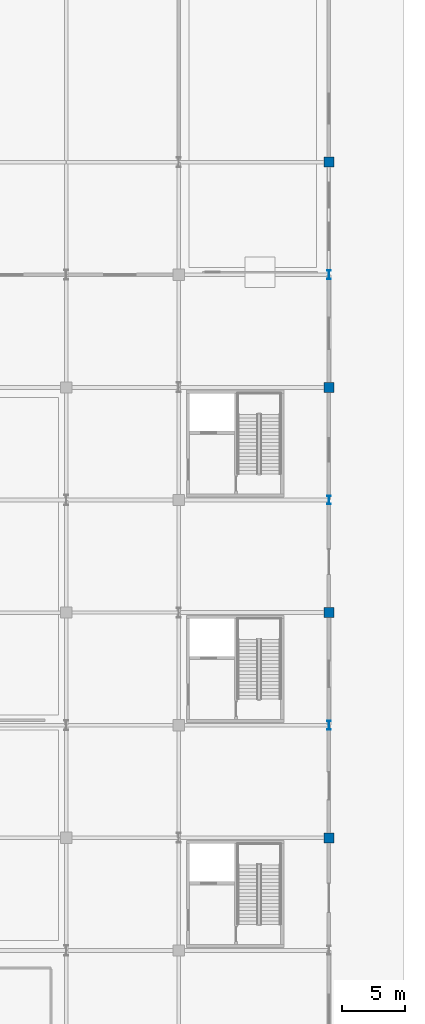
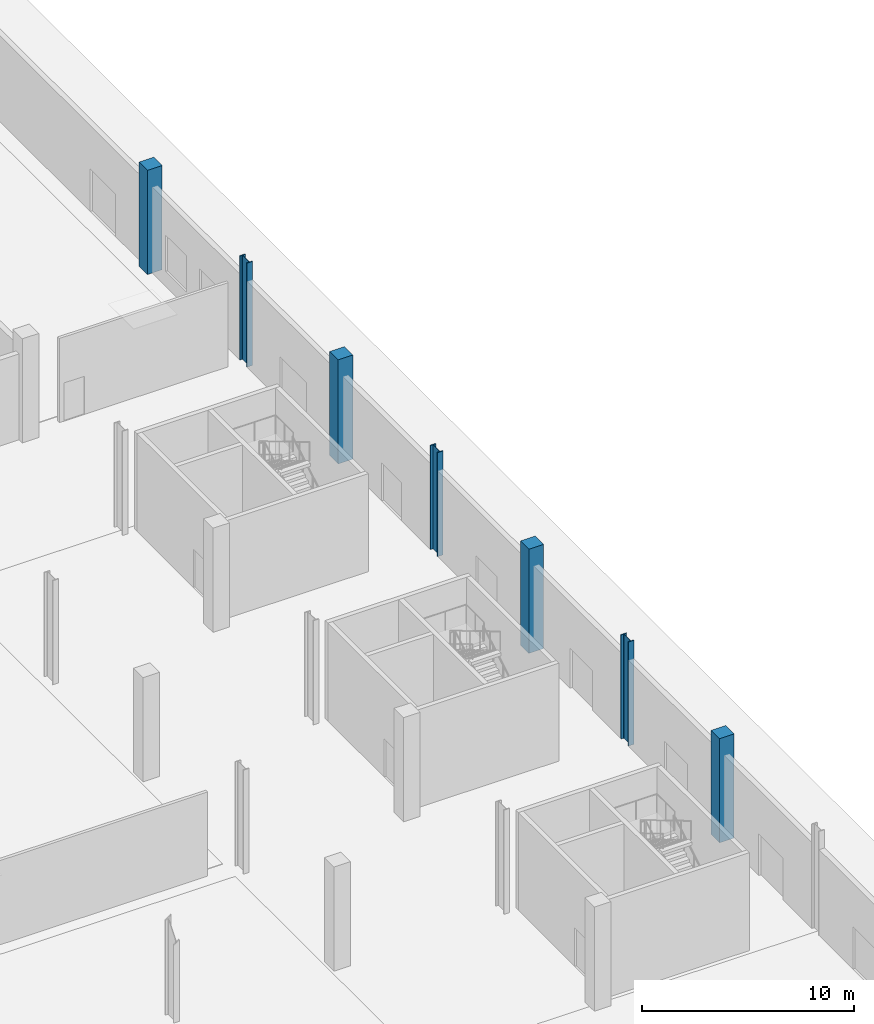
# One storey, part 14 of 58: 7 columns.
"""IFC4 building model written with IfcOpenShell, lengths in metres."""

from ifc_helpers import new_model, si_unit, direction, frame, origin, origin_2d, place, context, subcontext, project, spatial, rectangle, i_section, extrude, material, material_profile, profile_set, type_object, element, save


model = new_model("IFC4")

# Units and contexts
model_context = context("Model", 3, precision=1e-05, world=origin(), true_north=direction((0.0, 1.0)))
body_context = subcontext(model_context, "Body", "Model", "MODEL_VIEW")
ifc_project = project(units=[si_unit("LENGTHUNIT", "METRE"), si_unit("AREAUNIT", "SQUARE_METRE"), si_unit("VOLUMEUNIT", "CUBIC_METRE"), si_unit("PLANEANGLEUNIT", "RADIAN"), si_unit("MASSUNIT", "GRAM", prefix="KILO")], contexts=[model_context])

# Site, building, storey
site_placement = place(None, origin())
site = spatial("IfcSite", under=ifc_project, at=site_placement, CompositionType="ELEMENT")
building_placement = place(site_placement, origin())
building = spatial("IfcBuilding", under=site, at=building_placement, Name="Barlavento Convention Centre", CompositionType="ELEMENT")
storey_placement = place(building_placement, origin())
storey = spatial("IfcBuildingStorey", under=building, at=storey_placement, Name="L00", CompositionType="ELEMENT", Elevation=0.0)

# Columns
ifc_material_1 = material(Name="Steel S460", Category="steel")
ifc_material_profile_1 = material_profile(ifc_material_1, i_section(OverallWidth=0.303955078125, OverallDepth=0.716064453125, WebThickness=0.02099609375, FlangeThickness=0.0400390625, FilletRadius=0.027099609375, at=origin_2d()), Name="HEM 700")
ifc_profile_set_1 = profile_set([ifc_material_profile_1], Name="Steel S460")
column_type_1 = type_object("IfcColumnType", Name="STR-COL-HEM700", PredefinedType="COLUMN", material=ifc_profile_set_1)
for number, where, z_axis, x_axis, name in (
    (1, (192.0, 72.0, 0.0), (0.0, 0.0, 1.0), (1.0, 0.0, 0.0), "L00 column SC03"),
    (2, (192.0, 90.0, 0.0), (0.0, 0.0, 1.0), (1.0, 0.0, 0.0), "L00 column SC03"),
    (3, (192.0, 108.0, 0.0), (0.0, 0.0, 1.0), (1.0, 0.0, 0.0), "L00 column SC03"),
):
    element("IfcColumn", number, at=place(storey_placement, frame(where, z_axis=z_axis, x_axis=x_axis)), inside=storey, type_object=column_type_1, Name=name, PredefinedType="COLUMN", context=body_context, shape_type="SweptSolid", body=[
        extrude(i_section(OverallWidth=0.303955078125, OverallDepth=0.716064453125, WebThickness=0.02099609375, FlangeThickness=0.0400390625, FilletRadius=0.027099609375, at=origin_2d()), origin(), (0.0, 0.0, 1.0), 6.0),
    ])
ifc_material_2 = material(Name="Concrete C40/50", Category="concrete")
ifc_material_profile_2 = material_profile(ifc_material_2, rectangle(XDim=0.800048828125, YDim=0.800048828125, at=origin_2d()), Name="RC 800x800")
ifc_profile_set_2 = profile_set([ifc_material_profile_2], Name="Concrete C40/50")
column_type_2 = type_object("IfcColumnType", Name="STR-COL-RC800", PredefinedType="COLUMN", material=ifc_profile_set_2)
for number, where, z_axis, x_axis, name in (
    (4, (192.0, 63.0, 0.0), (0.0, 0.0, 1.0), (1.0, 0.0, 0.0), "L00 column CC05"),
    (5, (192.0, 81.0, 0.0), (0.0, 0.0, 1.0), (1.0, 0.0, 0.0), "L00 column CC05"),
    (6, (192.0, 99.0, 0.0), (0.0, 0.0, 1.0), (1.0, 0.0, 0.0), "L00 column CC05"),
    (7, (192.0, 117.0, 0.0), (0.0, 0.0, 1.0), (1.0, 0.0, 0.0), "L00 column CC05"),
):
    element("IfcColumn", number, at=place(storey_placement, frame(where, z_axis=z_axis, x_axis=x_axis)), inside=storey, type_object=column_type_2, Name=name, PredefinedType="COLUMN", context=body_context, shape_type="SweptSolid", body=[
        extrude(rectangle(XDim=0.800048828125, YDim=0.800048828125, at=origin_2d()), origin(), (0.0, 0.0, 1.0), 6.0),
    ])

save(model, "model.ifc")
